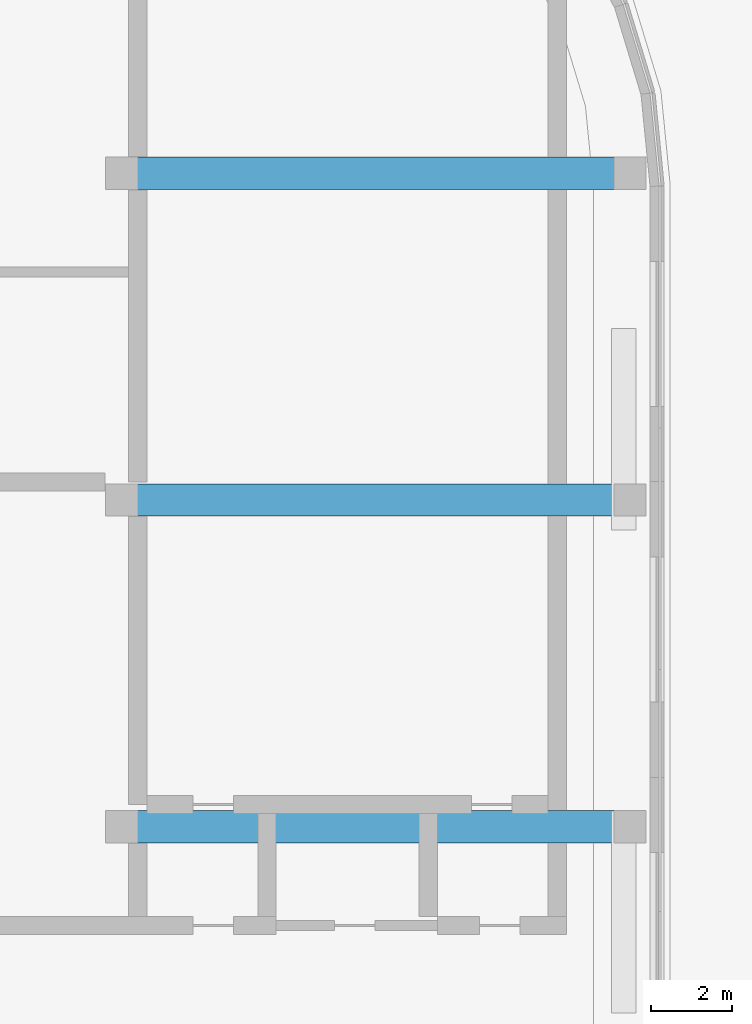
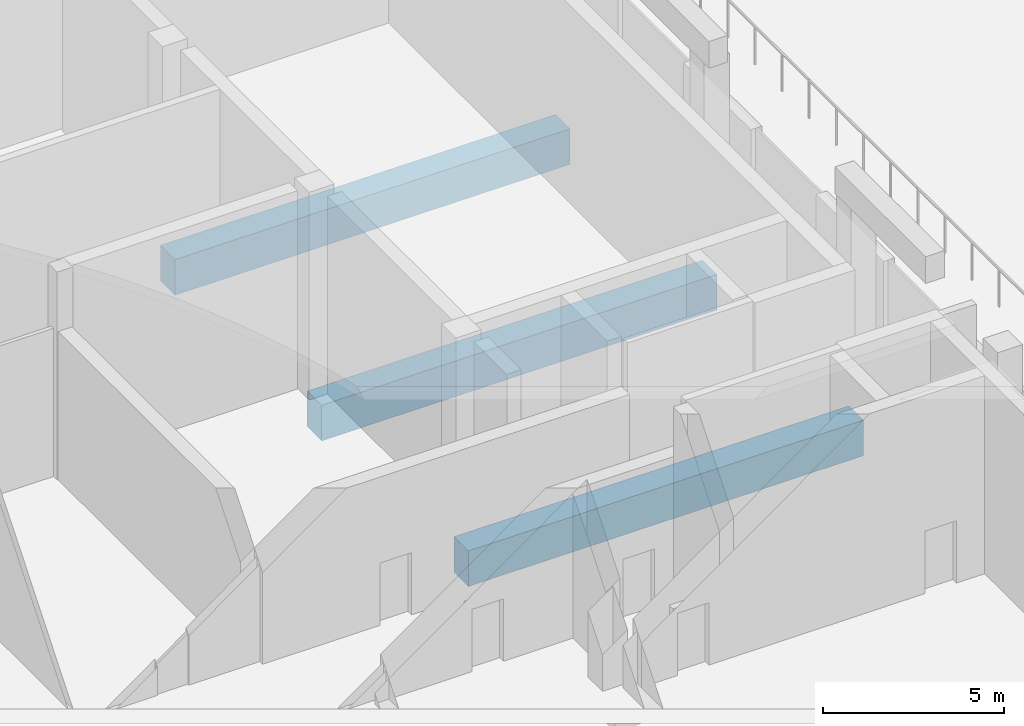
# One storey, part 3 of 17: 3 beams.
"""IFC4 building model written with IfcOpenShell, lengths in metres."""

import ifcopenshell
import ifcopenshell.guid

model = None  # the IFC model being written
_history = None  # IfcOwnerHistory: only IFC2X3 demands one
_inside = {}  # id of a spatial element -> (the spatial element, [elements in it])
_under = {}  # id of a project, library or spatial element -> (it, [spatial elements below it])
_declared = {}  # id of a project -> (the project, [libraries it declares])
_typed = {}  # id of a type object -> (the type object, [elements of that type])
_made_of = {}  # id of a material, layer set ... -> (it, [elements and type objects made of it])


def new_model(schema):
    """Start an empty IFC model of exactly this schema.

    Asked for "IFC4X3", IfcOpenShell would pick the latest addendum, in which some entities
    have other attributes; the version numbers below select the first issue.
    IFC2X3 requires an IfcOwnerHistory on every rooted entity: one is made here for all.
    """
    global model, _history
    if schema == "IFC4X3":
        model = ifcopenshell.file(schema_version=(4, 3, 0, 0))
    else:
        model = ifcopenshell.file(schema=schema)
    _inside.clear()
    _under.clear()
    _declared.clear()
    _typed.clear()
    _made_of.clear()
    _history = None
    if model.schema == "IFC2X3":
        org = make("IfcOrganization", Name="unknown")
        user = make(
            "IfcPersonAndOrganization",
            ThePerson=make("IfcPerson", FamilyName="unknown"),
            TheOrganization=org,
        )
        app = make(
            "IfcApplication",
            ApplicationDeveloper=org,
            Version="unknown",
            ApplicationFullName="unknown",
            ApplicationIdentifier="unknown",
        )
        _history = make(
            "IfcOwnerHistory",
            OwningUser=user,
            OwningApplication=app,
            ChangeAction="ADDED",
            CreationDate=0,
        )
    return model


def make(cls, **values):
    """One entity of the class cls with the attributes given. An attribute that is None is left unset."""
    return model.create_entity(
        cls, **{name: value for name, value in values.items() if value is not None}
    )


def rooted(cls, **values):
    """An entity with a GlobalId (a new one), such as an element, a storey or a relation."""
    return make(cls, GlobalId=ifcopenshell.guid.new(), OwnerHistory=_history, **values)


def si_unit(unit_type, name, prefix=None):
    """IfcSIUnit, for example si_unit("LENGTHUNIT", "METRE", prefix="MILLI")."""
    return make("IfcSIUnit", UnitType=unit_type, Prefix=prefix, Name=name)


def assignment(units):
    """IfcUnitAssignment: the units of a project."""
    return None if units is None else make("IfcUnitAssignment", Units=units)


def point(xyz):
    """IfcCartesianPoint."""
    return None if xyz is None else make("IfcCartesianPoint", Coordinates=xyz)


def direction(xyz):
    """IfcDirection."""
    return None if xyz is None else make("IfcDirection", DirectionRatios=xyz)


def frame(location, z_axis=None, x_axis=None):
    """IfcAxis2Placement3D, a coordinate frame: its origin and axes. An axis left out is left unset."""
    return make(
        "IfcAxis2Placement3D",
        Location=point(location),
        Axis=direction(z_axis),
        RefDirection=direction(x_axis),
    )


def frame_2d(location, x_axis=None):
    """IfcAxis2Placement2D, a coordinate frame in the plane: its origin and x axis."""
    return make(
        "IfcAxis2Placement2D", Location=point(location), RefDirection=direction(x_axis)
    )


def origin():
    """The frame at (0, 0, 0) with its axes left unset."""
    return frame((0.0, 0.0, 0.0))


def origin_2d():
    """The frame at (0, 0) in the plane with its x axis left unset."""
    return frame_2d((0.0, 0.0))


def place(relative_to, where):
    """IfcLocalPlacement: puts the frame where relative to a parent placement (None: the world)."""
    return make(
        "IfcLocalPlacement", PlacementRelTo=relative_to, RelativePlacement=where
    )


def context(
    kind, dimensions, precision=None, world=None, true_north=None, identifier=None
):
    """IfcGeometricRepresentationContext, for example the 3D "Model" context."""
    return make(
        "IfcGeometricRepresentationContext",
        ContextIdentifier=identifier,
        ContextType=kind,
        CoordinateSpaceDimension=dimensions,
        Precision=precision,
        WorldCoordinateSystem=world,
        TrueNorth=true_north,
    )


def subcontext(parent, identifier, kind, view, scale=None):
    """IfcGeometricRepresentationSubContext, for example "Body" below "Model"."""
    return make(
        "IfcGeometricRepresentationSubContext",
        ContextIdentifier=identifier,
        ContextType=kind,
        ParentContext=parent,
        TargetScale=scale,
        TargetView=view,
    )


def project(units=None, contexts=None):
    """IfcProject with its units and contexts."""
    return rooted(
        "IfcProject",
        Name="project",
        RepresentationContexts=contexts,
        UnitsInContext=assignment(units),
    )


def spatial(cls, under=None, at=None, **own):
    """A site, building, storey or space (cls), placed at a placement, below another one or the project."""
    s = rooted(cls, ObjectPlacement=at, **own)
    if under is not None:
        _under.setdefault(under.id(), (under, []))[1].append(s)
    return s


def profile(cls, at=None, kind="AREA", **sizes):
    """A parametric profile (cls). Its sizes go by their IFC names, for example OverallWidth=200.0."""
    return make(cls, ProfileType=kind, Position=at, **sizes)


def rectangle(**sizes):
    """IfcRectangleProfileDef."""
    return profile("IfcRectangleProfileDef", **sizes)


def extrude(swept, where, along, depth):
    """IfcExtrudedAreaSolid: the profile swept, set in the frame where, extruded along a direction by depth."""
    return make(
        "IfcExtrudedAreaSolid",
        SweptArea=swept,
        Position=where,
        ExtrudedDirection=direction(along),
        Depth=depth,
    )


def shape(context_of_items, identifier, shape_type, items):
    """IfcShapeRepresentation: the items that make up one representation, for example the "Body"."""
    return make(
        "IfcShapeRepresentation",
        ContextOfItems=context_of_items,
        RepresentationIdentifier=identifier,
        RepresentationType=shape_type,
        Items=items,
    )


def material(Name=None, Category=None):
    """IfcMaterial."""
    return make("IfcMaterial", Name=Name, Category=Category)


def material_profile(
    of_material, cross_section, Name=None, Category=None, Priority=None
):
    """IfcMaterialProfile: a cross section and its material."""
    return make(
        "IfcMaterialProfile",
        Name=Name,
        Material=of_material,
        Profile=cross_section,
        Priority=Priority,
        Category=Category,
    )


def profile_set(profiles, Name=None, composite=None):
    """IfcMaterialProfileSet."""
    return make(
        "IfcMaterialProfileSet",
        Name=Name,
        MaterialProfiles=profiles,
        CompositeProfile=composite,
    )


def made_of(thing, what):
    """Note that an element or type object is made of a material, layer set ...; save() writes the relation."""
    if what is not None:
        _made_of.setdefault(what.id(), (what, []))[1].append(thing)
    return thing


def type_object(cls, material=None, **own):
    """A type object (cls), such as IfcWallType, which elements share."""
    return made_of(rooted(cls, **own), material)


def element(
    cls,
    number,
    at=None,
    inside=None,
    cuts=None,
    type_object=None,
    material=None,
    context=None,
    identifier="Body",
    shape_type=None,
    held_by="IfcProductDefinitionShape",
    body=None,
    shapes=None,
    **own,
):
    """One element of the class cls, such as IfcWall. Its Tag is "e" and its number.

    at: its placement. inside: the storey or other place that contains it. cuts: it is an
    opening in that element (IfcRelVoidsElement). A single representation is given by context,
    identifier, shape_type and body (its items); several are given by shapes. held_by: the class
    of the entity that holds the representations. save() writes the other relations.
    """
    e = rooted(cls, Tag="e%d" % number, ObjectPlacement=at, **own)
    if body is not None:
        shapes = [shape(context, identifier, shape_type, body)]
    if shapes is not None:
        e.Representation = make(held_by, Representations=shapes)
    if inside is not None:
        _inside.setdefault(inside.id(), (inside, []))[1].append(e)
    if cuts is not None:
        rooted(
            "IfcRelVoidsElement", RelatingBuildingElement=cuts, RelatedOpeningElement=e
        )
    if type_object is not None:
        _typed.setdefault(type_object.id(), (type_object, []))[1].append(e)
    return made_of(e, material)


def aggregate(whole, parts):
    """IfcRelAggregates: a whole, such as a stair, and the parts it consists of."""
    return rooted("IfcRelAggregates", RelatingObject=whole, RelatedObjects=parts)


def save(model, path):
    """Write the relations noted so far, then the file.

    IfcRelAggregates (storeys below a building ...), IfcRelContainedInSpatialStructure (elements
    in a storey), IfcRelDefinesByType, IfcRelAssociatesMaterial and IfcRelDeclares: one each for
    every whole, place, type object, material and project.
    """
    for whole, parts in _under.values():
        aggregate(whole, parts)
    for where, things in _inside.values():
        rooted(
            "IfcRelContainedInSpatialStructure",
            RelatedElements=things,
            RelatingStructure=where,
        )
    for kind, things in _typed.values():
        rooted("IfcRelDefinesByType", RelatedObjects=things, RelatingType=kind)
    for what, things in _made_of.values():
        rooted("IfcRelAssociatesMaterial", RelatedObjects=things, RelatingMaterial=what)
    for by, libraries in _declared.values():
        rooted("IfcRelDeclares", RelatingContext=by, RelatedDefinitions=libraries)
    model.write(path)


model = new_model("IFC4")

# Units and contexts
model_context = context("Model", 3, precision=1e-05, world=origin(), true_north=direction((0.0, 1.0)))
body_context = subcontext(model_context, "Body", "Model", "MODEL_VIEW")
ifc_project = project(units=[si_unit("LENGTHUNIT", "METRE"), si_unit("AREAUNIT", "SQUARE_METRE"), si_unit("VOLUMEUNIT", "CUBIC_METRE"), si_unit("PLANEANGLEUNIT", "RADIAN"), si_unit("MASSUNIT", "GRAM", prefix="KILO")], contexts=[model_context])

# Site, building, storey
site_placement = place(None, origin())
site = spatial("IfcSite", under=ifc_project, at=site_placement, CompositionType="ELEMENT")
building_placement = place(site_placement, origin())
building = spatial("IfcBuilding", under=site, at=building_placement, Name="Torre Triforio", CompositionType="ELEMENT")
storey_placement = place(building_placement, frame((0.0, 0.0, 13.0)))
storey = spatial("IfcBuildingStorey", under=building, at=storey_placement, Name="L02", CompositionType="ELEMENT", Elevation=13.0)

# Beams
ifc_material = material(Name="Concrete C50", Category="concrete")
ifc_material_profile = material_profile(ifc_material, rectangle(XDim=0.800048828125, YDim=1.199951171875, at=origin_2d()), Name="RC 800x1200")
ifc_profile_set = profile_set([ifc_material_profile], Name="Concrete C50")
beam_type = type_object("IfcBeamType", Name="Studio floor girder RC 800x1200 C50", PredefinedType="BEAM", material=ifc_profile_set)
for number, where, z_axis, x_axis, name in (
    (1, (32.39990234375, 8.10009765625, -0.919921875), (1.0, 0.0, 0.0), (0.0, 1.0, 0.0), "BM.SG.L02.05"),
    (2, (32.39990234375, 16.199951171875, -0.919921875), (1.0, 0.0, 0.0), (0.0, 1.0, 0.0), "BM.SG.L02.06"),
    (3, (32.39990234375, 24.300048828125, -0.919921875), (1.0, 0.0, 0.0), (0.0, 1.0, 0.0), "BM.SG.L02.07"),
):
    element("IfcBeam", number, at=place(storey_placement, frame(where, z_axis=z_axis, x_axis=x_axis)), inside=storey, type_object=beam_type, Name=name, PredefinedType="BEAM", context=body_context, shape_type="SweptSolid", body=[
        extrude(rectangle(XDim=0.800048828125, YDim=1.199951171875, at=origin_2d()), origin(), (0.0, 0.0, 1.0), 12.60009765625),
    ])

save(model, "model.ifc")
